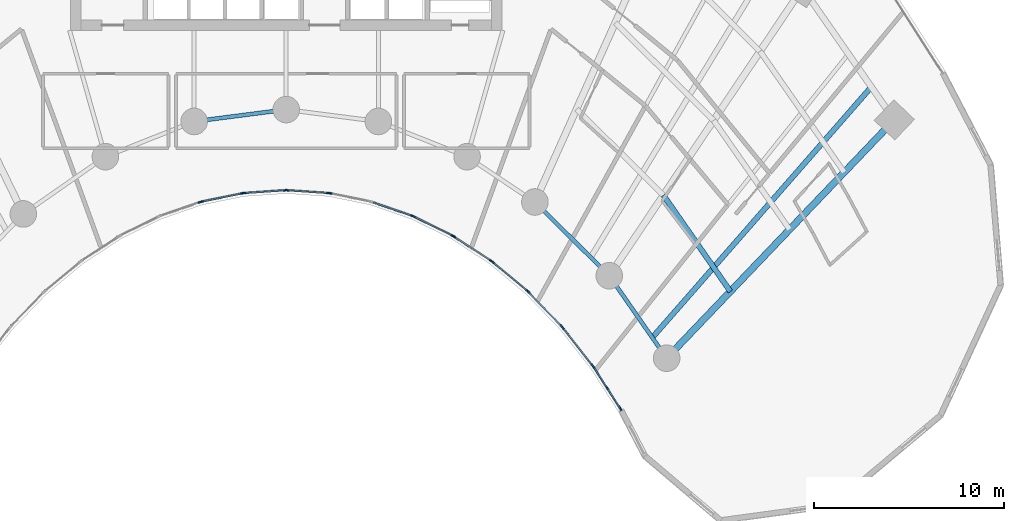
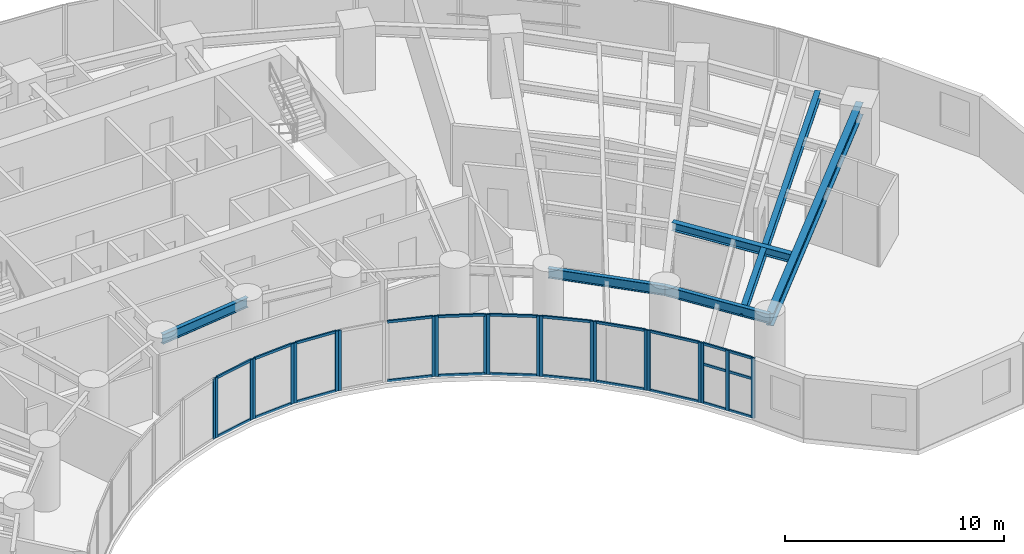
# One storey, part 4 of 17: 46 members, 6 beams, 12 elements without a shape of their own.
"""IFC4 building model written with IfcOpenShell, lengths in metres."""

from ifc_helpers import new_model, si_unit, direction, frame, origin, origin_2d, place, context, subcontext, project, spatial, rectangle, i_section, extrude, source, transform, mapped, material, layer, layer_set, material_profile, profile_set, type_object, type_shapes, element, aggregate, save


model = new_model("IFC4")

# Units and contexts
model_context = context("Model", 3, precision=1e-05, world=origin(), true_north=direction((0.0, 1.0)))
body_context = subcontext(model_context, "Body", "Model", "MODEL_VIEW")
ifc_project = project(units=[si_unit("LENGTHUNIT", "METRE"), si_unit("AREAUNIT", "SQUARE_METRE"), si_unit("VOLUMEUNIT", "CUBIC_METRE"), si_unit("PLANEANGLEUNIT", "RADIAN"), si_unit("MASSUNIT", "GRAM", prefix="KILO")], contexts=[model_context])

# Site, building, storey
site_placement = place(None, origin())
site = spatial("IfcSite", under=ifc_project, at=site_placement, CompositionType="ELEMENT")
building_placement = place(site_placement, origin())
building = spatial("IfcBuilding", under=site, at=building_placement, Name="Breltana Convention Tower", CompositionType="ELEMENT")
storey_placement = place(building_placement, frame((0.0, 0.0, 67.800048828125)))
storey = spatial("IfcBuildingStorey", under=building, at=storey_placement, Name="L15", CompositionType="ELEMENT", Elevation=67.800048828125)

# Beams
ifc_material_1 = material(Name="Steel ASTM A992 Grade 50", Category="steel")
ifc_material_profile_1 = material_profile(ifc_material_1, i_section(OverallWidth=0.35498046875, OverallDepth=0.696044921875, WebThickness=0.015380859375, FlangeThickness=0.02490234375, at=origin_2d()), Name="W27X146")
ifc_profile_set_1 = profile_set([ifc_material_profile_1], Name="Steel ASTM A992 Grade 50")
beam_type_1 = type_object("IfcBeamType", Name="BM-RG-W27X146", PredefinedType="USERDEFINED", material=ifc_profile_set_1)
shared_shape_1 = source(origin(), body_context, "Body", "SweptSolid", [
    extrude(i_section(OverallWidth=0.35498046875, OverallDepth=0.696044921875, WebThickness=0.015380859375, FlangeThickness=0.02490234375, at=origin_2d()), origin(), (0.0, 0.0, 1.0), 17.341064453125),
])
type_shapes(beam_type_1, [shared_shape_1])
beam_1_placement = place(storey_placement, frame((68.015380859375, 42.95458984375, 3.011962890625), z_axis=(0.690716462293, 0.723125693581, 0.0), x_axis=(-0.723125693581, 0.690716462293, 0.0)))
element("IfcBeam", 1, at=beam_1_placement, inside=storey, type_object=beam_type_1, Name="L15 Radial Floor Girder R11", ObjectType="GIRDER", PredefinedType="USERDEFINED", context=body_context, shape_type="MappedRepresentation", body=[
    mapped(shared_shape_1, transform((0.0, 0.0, 0.0), scale=1.0)),
])
ifc_material_profile_2 = material_profile(ifc_material_1, i_section(OverallWidth=0.2099609375, OverallDepth=0.537109375, WebThickness=0.010986328125, FlangeThickness=0.017333984375, at=origin_2d()), Name="W21X68")
ifc_profile_set_2 = profile_set([ifc_material_profile_2], Name="Steel ASTM A992 Grade 50")
beam_type_2 = type_object("IfcBeamType", Name="BM-BM-W21X68", PredefinedType="BEAM", material=ifc_profile_set_2)
shared_shape_2 = source(origin(), body_context, "Body", "SweptSolid", [
    extrude(i_section(OverallWidth=0.2099609375, OverallDepth=0.537109375, WebThickness=0.010986328125, FlangeThickness=0.017333984375, at=origin_2d()), origin(), (0.0, 0.0, 1.0), 4.88671875),
])
beam_2_placement = place(storey_placement, frame((43.153564453125, 55.41064453125, 3.091552734375), z_axis=(0.991780525565, 0.127950729231, 0.0), x_axis=(-0.127950729231, 0.991780525565, 0.0)))
element("IfcBeam", 2, at=beam_2_placement, inside=storey, type_object=beam_type_2, Name="L15 Inner Ring Beam 05", PredefinedType="BEAM", context=body_context, shape_type="MappedRepresentation", body=[
    mapped(shared_shape_2, transform((0.0, 0.0, 0.0), scale=1.0)),
])
shared_shape_3 = source(origin(), body_context, "Body", "SweptSolid", [
    extrude(i_section(OverallWidth=0.2099609375, OverallDepth=0.537109375, WebThickness=0.010986328125, FlangeThickness=0.017333984375, at=origin_2d()), origin(), (0.0, 0.0, 1.0), 5.51171875),
])
beam_3_placement = place(storey_placement, frame((61.08203125, 51.174560546875, 3.091552734375), z_axis=(0.710090360749, -0.704110559196, 0.0), x_axis=(0.704110559196, 0.710090360749, 0.0)))
element("IfcBeam", 3, at=beam_3_placement, inside=storey, type_object=beam_type_2, Name="L15 Inner Ring Beam 09", PredefinedType="BEAM", context=body_context, shape_type="MappedRepresentation", body=[
    mapped(shared_shape_3, transform((0.0, 0.0, 0.0), scale=1.0)),
])
shared_shape_4 = source(origin(), body_context, "Body", "SweptSolid", [
    extrude(i_section(OverallWidth=0.2099609375, OverallDepth=0.537109375, WebThickness=0.010986328125, FlangeThickness=0.017333984375, at=origin_2d()), origin(), (0.0, 0.0, 1.0), 5.286376953125),
])
beam_4_placement = place(storey_placement, frame((64.995849609375, 47.293701171875, 3.091552734375), z_axis=(0.571194382458, -0.82081482531, 0.0), x_axis=(0.82081482531, 0.571194382458, 0.0)))
element("IfcBeam", 4, at=beam_4_placement, inside=storey, type_object=beam_type_2, Name="L15 Inner Ring Beam 10", PredefinedType="BEAM", context=body_context, shape_type="MappedRepresentation", body=[
    mapped(shared_shape_4, transform((0.0, 0.0, 0.0), scale=1.0)),
])
ifc_material_profile_3 = material_profile(ifc_material_1, i_section(OverallWidth=0.280029296875, OverallDepth=0.462890625, WebThickness=0.0107421875, FlangeThickness=0.017333984375, at=origin_2d()), Name="W18X76")
ifc_profile_set_3 = profile_set([ifc_material_profile_3], Name="Steel ASTM A992 Grade 50")
beam_type_3 = type_object("IfcBeamType", Name="BM-JSG-06", PredefinedType="JOIST", material=ifc_profile_set_3)
shared_shape_5 = source(origin(), body_context, "Body", "SweptSolid", [
    extrude(i_section(OverallWidth=0.280029296875, OverallDepth=0.462890625, WebThickness=0.0107421875, FlangeThickness=0.017333984375, at=origin_2d()), origin(), (0.0, 0.0, 1.0), 6.172119140625),
])
beam_5_placement = place(storey_placement, frame((67.84375, 51.531982421875, 3.12841796875), z_axis=(0.571211663392, -0.820802799462, 0.0), x_axis=(0.820802799462, 0.571211663392, 0.0)))
element("IfcBeam", 5, at=beam_5_placement, inside=storey, type_object=beam_type_3, Name="L15 Composite Floor Joist 10.1", PredefinedType="JOIST", context=body_context, shape_type="MappedRepresentation", body=[
    mapped(shared_shape_5, transform((0.0, 0.0, 0.0), scale=1.0)),
])
shared_shape_6 = source(origin(), body_context, "Body", "SweptSolid", [
    extrude(i_section(OverallWidth=0.280029296875, OverallDepth=0.462890625, WebThickness=0.0107421875, FlangeThickness=0.017333984375, at=origin_2d()), origin(), (0.0, 0.0, 1.0), 17.515625),
])
beam_6_placement = place(storey_placement, frame((67.260498046875, 44.03955078125, 3.12841796875), z_axis=(0.658051548324, 0.752972881151, 0.0), x_axis=(-0.752972881151, 0.658051548324, 0.0)))
element("IfcBeam", 6, at=beam_6_placement, inside=storey, type_object=beam_type_3, Name="L15 Quarter-Bay Radial Trimmer 10", PredefinedType="JOIST", context=body_context, shape_type="MappedRepresentation", body=[
    mapped(shared_shape_6, transform((0.0, 0.0, 0.0), scale=1.0)),
])

# Curtain wall, members
ifc_material_2 = material(Name="Aluminium Anodised Bronze Frame", Category="aluminium")
ifc_layer = layer(ifc_material_2, 0.18994140625, Name="Aluminium Anodised Bronze Frame")
ifc_layer_set = layer_set([ifc_layer], Name="Aluminium Anodised Bronze Frame")
curtain_wall_type = type_object("IfcCurtainWallType", Name="CW-SYS-1", PredefinedType="NOTDEFINED", material=ifc_layer_set)
curtain_wall_1_placement = place(storey_placement, origin())
curtain_wall_1 = element("IfcCurtainWall", 7, at=curtain_wall_1_placement, inside=storey, type_object=curtain_wall_type, Name="L15 inner south-court glazing 3", PredefinedType="NOTDEFINED")
ifc_material_3 = material(Name="Aluminium Anodised Bronze", Category="aluminium")
ifc_material_profile_4 = material_profile(ifc_material_3, rectangle(XDim=0.080078125, YDim=0.139892578125, at=origin_2d()), Name="CWT-80X140")
ifc_profile_set_4 = profile_set([ifc_material_profile_4], Name="Aluminium Anodised Bronze")
member_type_1 = type_object("IfcMemberType", Name="CWT-140", PredefinedType="USERDEFINED", material=ifc_profile_set_4)
shared_shape_7 = source(origin(), body_context, "Body", "SweptSolid", [
    extrude(rectangle(XDim=0.080078125, YDim=0.139892578125, at=origin_2d()), origin(), (0.0, 0.0, 1.0), 2.38720703125),
])
type_shapes(member_type_1, [shared_shape_7])
member_1_placement = place(storey_placement, frame((62.4560546875, 44.667724609375, 0.0400390625), z_axis=(-0.694623715393, 0.719373264734, 0.0), x_axis=(-0.719373264734, -0.694623715393, 0.0)))
member_1 = element("IfcMember", 8, at=member_1_placement, type_object=member_type_1, Name="CW-01 transom 1.1", ObjectType="TRANSOM", PredefinedType="USERDEFINED", context=body_context, shape_type="MappedRepresentation", body=[
    mapped(shared_shape_7, transform((0.0, 0.0, 0.0), scale=1.0)),
])
member_2_placement = place(storey_placement, frame((62.4560546875, 44.667724609375, 3.320068359375), z_axis=(-0.694623715393, 0.719373264734, 0.0), x_axis=(-0.719373264734, -0.694623715393, 0.0)))
member_2 = element("IfcMember", 9, at=member_2_placement, type_object=member_type_1, Name="CW-01 transom 1.2", ObjectType="TRANSOM", PredefinedType="USERDEFINED", context=body_context, shape_type="MappedRepresentation", body=[
    mapped(shared_shape_7, transform((0.0, 0.0, 0.0), scale=1.0)),
])

curtain_wall_2_placement = place(storey_placement, origin())
curtain_wall_2 = element("IfcCurtainWall", 10, at=curtain_wall_2_placement, inside=storey, type_object=curtain_wall_type, Name="L15 inner south-court glazing 4", PredefinedType="NOTDEFINED")
shared_shape_8 = source(origin(), body_context, "Body", "SweptSolid", [
    extrude(rectangle(XDim=0.080078125, YDim=0.139892578125, at=origin_2d()), origin(), (0.0, 0.0, 1.0), 2.312255859375),
])
member_3_placement = place(storey_placement, frame((60.666748046875, 46.5068359375, 0.0400390625), z_axis=(-0.767900974507, 0.640568570374, 0.0), x_axis=(-0.640568570374, -0.767900974507, 0.0)))
member_3 = element("IfcMember", 11, at=member_3_placement, type_object=member_type_1, Name="CW-01 transom 1.1", ObjectType="TRANSOM", PredefinedType="USERDEFINED", context=body_context, shape_type="MappedRepresentation", body=[
    mapped(shared_shape_8, transform((0.0, 0.0, 0.0), scale=1.0)),
])
member_4_placement = place(storey_placement, frame((60.666748046875, 46.5068359375, 3.320068359375), z_axis=(-0.767900974507, 0.640568570374, 0.0), x_axis=(-0.640568570374, -0.767900974507, 0.0)))
member_4 = element("IfcMember", 12, at=member_4_placement, type_object=member_type_1, Name="CW-01 transom 1.2", ObjectType="TRANSOM", PredefinedType="USERDEFINED", context=body_context, shape_type="MappedRepresentation", body=[
    mapped(shared_shape_8, transform((0.0, 0.0, 0.0), scale=1.0)),
])

curtain_wall_3_placement = place(storey_placement, origin())
curtain_wall_3 = element("IfcCurtainWall", 13, at=curtain_wall_3_placement, inside=storey, type_object=curtain_wall_type, Name="L15 inner south-court glazing 5", PredefinedType="NOTDEFINED")
shared_shape_9 = source(origin(), body_context, "Body", "SweptSolid", [
    extrude(rectangle(XDim=0.080078125, YDim=0.139892578125, at=origin_2d()), origin(), (0.0, 0.0, 1.0), 2.2421875),
])
member_5_placement = place(storey_placement, frame((58.746337890625, 48.095458984375, 0.0400390625), z_axis=(-0.835982353773, 0.548756324957, 0.0), x_axis=(-0.548756324957, -0.835982353773, 0.0)))
member_5 = element("IfcMember", 14, at=member_5_placement, type_object=member_type_1, Name="CW-01 transom 1.1", ObjectType="TRANSOM", PredefinedType="USERDEFINED", context=body_context, shape_type="MappedRepresentation", body=[
    mapped(shared_shape_9, transform((0.0, 0.0, 0.0), scale=1.0)),
])
member_6_placement = place(storey_placement, frame((58.746337890625, 48.095458984375, 3.320068359375), z_axis=(-0.835982353773, 0.548756324957, 0.0), x_axis=(-0.548756324957, -0.835982353773, 0.0)))
member_6 = element("IfcMember", 15, at=member_6_placement, type_object=member_type_1, Name="CW-01 transom 1.2", ObjectType="TRANSOM", PredefinedType="USERDEFINED", context=body_context, shape_type="MappedRepresentation", body=[
    mapped(shared_shape_9, transform((0.0, 0.0, 0.0), scale=1.0)),
])

curtain_wall_4_placement = place(storey_placement, origin())
curtain_wall_4 = element("IfcCurtainWall", 16, at=curtain_wall_4_placement, inside=storey, type_object=curtain_wall_type, Name="L15 inner south-court glazing 6", PredefinedType="NOTDEFINED")
shared_shape_10 = source(origin(), body_context, "Body", "SweptSolid", [
    extrude(rectangle(XDim=0.080078125, YDim=0.139892578125, at=origin_2d()), origin(), (0.0, 0.0, 1.0), 2.180908203125),
])
member_7_placement = place(storey_placement, frame((56.71435546875, 49.416015625, 0.0400390625), z_axis=(-0.895922266369, 0.444210865045, 0.0), x_axis=(-0.444210865045, -0.895922266369, 0.0)))
member_7 = element("IfcMember", 17, at=member_7_placement, type_object=member_type_1, Name="CW-01 transom 1.1", ObjectType="TRANSOM", PredefinedType="USERDEFINED", context=body_context, shape_type="MappedRepresentation", body=[
    mapped(shared_shape_10, transform((0.0, 0.0, 0.0), scale=1.0)),
])
member_8_placement = place(storey_placement, frame((56.71435546875, 49.416015625, 3.320068359375), z_axis=(-0.895922266369, 0.444210865045, 0.0), x_axis=(-0.444210865045, -0.895922266369, 0.0)))
member_8 = element("IfcMember", 18, at=member_8_placement, type_object=member_type_1, Name="CW-01 transom 1.2", ObjectType="TRANSOM", PredefinedType="USERDEFINED", context=body_context, shape_type="MappedRepresentation", body=[
    mapped(shared_shape_10, transform((0.0, 0.0, 0.0), scale=1.0)),
])

curtain_wall_5_placement = place(storey_placement, origin())
curtain_wall_5 = element("IfcCurtainWall", 19, at=curtain_wall_5_placement, inside=storey, type_object=curtain_wall_type, Name="L15 inner south-court glazing 9", PredefinedType="NOTDEFINED")
shared_shape_11 = source(origin(), body_context, "Body", "SweptSolid", [
    extrude(rectangle(XDim=0.080078125, YDim=0.139892578125, at=origin_2d()), origin(), (0.0, 0.0, 1.0), 2.07861328125),
])
member_9_placement = place(storey_placement, frame((50.165771484375, 51.6474609375, 0.0400390625), z_axis=(-0.997708627147, 0.067657189691, 0.0), x_axis=(-0.067657189691, -0.997708627147, 0.0)))
member_9 = element("IfcMember", 20, at=member_9_placement, type_object=member_type_1, Name="CW-01 transom 1.1", ObjectType="TRANSOM", PredefinedType="USERDEFINED", context=body_context, shape_type="MappedRepresentation", body=[
    mapped(shared_shape_11, transform((0.0, 0.0, 0.0), scale=1.0)),
])
member_10_placement = place(storey_placement, frame((50.165771484375, 51.6474609375, 3.320068359375), z_axis=(-0.997708627147, 0.067657189691, 0.0), x_axis=(-0.067657189691, -0.997708627147, 0.0)))
member_10 = element("IfcMember", 21, at=member_10_placement, type_object=member_type_1, Name="CW-01 transom 1.2", ObjectType="TRANSOM", PredefinedType="USERDEFINED", context=body_context, shape_type="MappedRepresentation", body=[
    mapped(shared_shape_11, transform((0.0, 0.0, 0.0), scale=1.0)),
])

curtain_wall_6_placement = place(storey_placement, origin())
curtain_wall_6 = element("IfcCurtainWall", 22, at=curtain_wall_6_placement, inside=storey, type_object=curtain_wall_type, Name="L15 inner south-court glazing 10", PredefinedType="NOTDEFINED")
member_11_placement = place(storey_placement, frame((47.907958984375, 51.7880859375, 0.0400390625), z_axis=(-0.997708627147, -0.067657189691, 0.0), x_axis=(0.067657189691, -0.997708627147, 0.0)))
member_11 = element("IfcMember", 23, at=member_11_placement, type_object=member_type_1, Name="CW-01 transom 1.1", ObjectType="TRANSOM", PredefinedType="USERDEFINED", context=body_context, shape_type="MappedRepresentation", body=[
    mapped(shared_shape_11, transform((0.0, 0.0, 0.0), scale=1.0)),
])
member_12_placement = place(storey_placement, frame((47.907958984375, 51.7880859375, 3.320068359375), z_axis=(-0.997708627147, -0.067657189691, 0.0), x_axis=(0.067657189691, -0.997708627147, 0.0)))
member_12 = element("IfcMember", 24, at=member_12_placement, type_object=member_type_1, Name="CW-01 transom 1.2", ObjectType="TRANSOM", PredefinedType="USERDEFINED", context=body_context, shape_type="MappedRepresentation", body=[
    mapped(shared_shape_11, transform((0.0, 0.0, 0.0), scale=1.0)),
])

curtain_wall_7_placement = place(storey_placement, origin())
curtain_wall_7 = element("IfcCurtainWall", 25, at=curtain_wall_7_placement, inside=storey, type_object=curtain_wall_type, Name="L15 inner south-court glazing 2", PredefinedType="NOTDEFINED")
shared_shape_12 = source(origin(), body_context, "Body", "SweptSolid", [
    extrude(rectangle(XDim=0.080078125, YDim=0.139892578125, at=origin_2d()), origin(), (0.0, 0.0, 1.0), 2.4638671875),
])
member_13_placement = place(storey_placement, frame((64.09619140625, 42.5966796875, 0.0400390625), z_axis=(-0.618184689608, 0.786032880695, 0.0), x_axis=(-0.786032880695, -0.618184689608, 0.0)))
member_13 = element("IfcMember", 26, at=member_13_placement, type_object=member_type_1, Name="CW-01 transom 1.1", ObjectType="TRANSOM", PredefinedType="USERDEFINED", context=body_context, shape_type="MappedRepresentation", body=[
    mapped(shared_shape_12, transform((0.0, 0.0, 0.0), scale=1.0)),
])
member_14_placement = place(storey_placement, frame((64.09619140625, 42.5966796875, 3.320068359375), z_axis=(-0.618184689608, 0.786032880695, 0.0), x_axis=(-0.786032880695, -0.618184689608, 0.0)))
member_14 = element("IfcMember", 27, at=member_14_placement, type_object=member_type_1, Name="CW-01 transom 1.2", ObjectType="TRANSOM", PredefinedType="USERDEFINED", context=body_context, shape_type="MappedRepresentation", body=[
    mapped(shared_shape_12, transform((0.0, 0.0, 0.0), scale=1.0)),
])

curtain_wall_8_placement = place(storey_placement, origin())
curtain_wall_8 = element("IfcCurtainWall", 28, at=curtain_wall_8_placement, inside=storey, type_object=curtain_wall_type, Name="L15 inner south-court glazing 1", PredefinedType="NOTDEFINED")
shared_shape_13 = source(origin(), body_context, "Body", "SweptSolid", [
    extrude(rectangle(XDim=0.080078125, YDim=0.139892578125, at=origin_2d()), origin(), (0.0, 0.0, 1.0), 1.229736328125),
])
member_15_placement = place(storey_placement, frame((65.57080078125, 40.315185546875, 0.0400390625), z_axis=(-0.540185543357, 0.841545945714, 0.0), x_axis=(-0.841545945714, -0.540185543357, 0.0)))
member_15 = element("IfcMember", 29, at=member_15_placement, type_object=member_type_1, Name="CW-01 transom 1.1", ObjectType="TRANSOM", PredefinedType="USERDEFINED", context=body_context, shape_type="MappedRepresentation", body=[
    mapped(shared_shape_13, transform((0.0, 0.0, 0.0), scale=1.0)),
])
member_16_placement = place(storey_placement, frame((65.57080078125, 40.315185546875, 2.183837890625), z_axis=(-0.540185543357, 0.841545945714, 0.0), x_axis=(-0.841545945714, -0.540185543357, 0.0)))
member_16 = element("IfcMember", 30, at=member_16_placement, type_object=member_type_1, Name="CW-01 transom 1.2", ObjectType="TRANSOM", PredefinedType="USERDEFINED", context=body_context, shape_type="MappedRepresentation", body=[
    mapped(shared_shape_13, transform((0.0, 0.0, 0.0), scale=1.0)),
])
member_17_placement = place(storey_placement, frame((65.57080078125, 40.315185546875, 3.320068359375), z_axis=(-0.540185543357, 0.841545945714, 0.0), x_axis=(-0.841545945714, -0.540185543357, 0.0)))
member_17 = element("IfcMember", 31, at=member_17_placement, type_object=member_type_1, Name="CW-01 transom 1.3", ObjectType="TRANSOM", PredefinedType="USERDEFINED", context=body_context, shape_type="MappedRepresentation", body=[
    mapped(shared_shape_13, transform((0.0, 0.0, 0.0), scale=1.0)),
])
member_18_placement = place(storey_placement, frame((64.86328125, 41.41748046875, 0.0400390625), z_axis=(-0.540185543357, 0.841545945714, 0.0), x_axis=(-0.841545945714, -0.540185543357, 0.0)))
member_18 = element("IfcMember", 32, at=member_18_placement, type_object=member_type_1, Name="CW-01 transom 2.1", ObjectType="TRANSOM", PredefinedType="USERDEFINED", context=body_context, shape_type="MappedRepresentation", body=[
    mapped(shared_shape_13, transform((0.0, 0.0, 0.0), scale=1.0)),
])
member_19_placement = place(storey_placement, frame((64.86328125, 41.41748046875, 2.183837890625), z_axis=(-0.540185543357, 0.841545945714, 0.0), x_axis=(-0.841545945714, -0.540185543357, 0.0)))
member_19 = element("IfcMember", 33, at=member_19_placement, type_object=member_type_1, Name="CW-01 transom 2.2", ObjectType="TRANSOM", PredefinedType="USERDEFINED", context=body_context, shape_type="MappedRepresentation", body=[
    mapped(shared_shape_13, transform((0.0, 0.0, 0.0), scale=1.0)),
])
member_20_placement = place(storey_placement, frame((64.86328125, 41.41748046875, 3.320068359375), z_axis=(-0.540185543357, 0.841545945714, 0.0), x_axis=(-0.841545945714, -0.540185543357, 0.0)))
member_20 = element("IfcMember", 34, at=member_20_placement, type_object=member_type_1, Name="CW-01 transom 2.3", ObjectType="TRANSOM", PredefinedType="USERDEFINED", context=body_context, shape_type="MappedRepresentation", body=[
    mapped(shared_shape_13, transform((0.0, 0.0, 0.0), scale=1.0)),
])

curtain_wall_9_placement = place(storey_placement, origin())
curtain_wall_9 = element("IfcCurtainWall", 35, at=curtain_wall_9_placement, inside=storey, type_object=curtain_wall_type, Name="L15 inner south-court glazing 7", PredefinedType="NOTDEFINED")
shared_shape_14 = source(origin(), body_context, "Body", "SweptSolid", [
    extrude(rectangle(XDim=0.080078125, YDim=0.139892578125, at=origin_2d()), origin(), (0.0, 0.0, 1.0), 2.131103515625),
])
member_21_placement = place(storey_placement, frame((54.592041015625, 50.455078125, 0.0400390625), z_axis=(-0.944847069856, 0.327511854112, 0.0), x_axis=(-0.327511854112, -0.944847069856, 0.0)))
member_21 = element("IfcMember", 36, at=member_21_placement, type_object=member_type_1, Name="CW-01 transom 1.1", ObjectType="TRANSOM", PredefinedType="USERDEFINED", context=body_context, shape_type="MappedRepresentation", body=[
    mapped(shared_shape_14, transform((0.0, 0.0, 0.0), scale=1.0)),
])
member_22_placement = place(storey_placement, frame((54.592041015625, 50.455078125, 3.320068359375), z_axis=(-0.944847069856, 0.327511854112, 0.0), x_axis=(-0.327511854112, -0.944847069856, 0.0)))
member_22 = element("IfcMember", 37, at=member_22_placement, type_object=member_type_1, Name="CW-01 transom 1.2", ObjectType="TRANSOM", PredefinedType="USERDEFINED", context=body_context, shape_type="MappedRepresentation", body=[
    mapped(shared_shape_14, transform((0.0, 0.0, 0.0), scale=1.0)),
])

curtain_wall_10_placement = place(storey_placement, origin())
curtain_wall_10 = element("IfcCurtainWall", 38, at=curtain_wall_10_placement, inside=storey, type_object=curtain_wall_type, Name="L15 inner south-court glazing 11", PredefinedType="NOTDEFINED")
shared_shape_15 = source(origin(), body_context, "Body", "SweptSolid", [
    extrude(rectangle(XDim=0.080078125, YDim=0.139892578125, at=origin_2d()), origin(), (0.0, 0.0, 1.0), 2.096435546875),
])
member_23_placement = place(storey_placement, frame((45.652099609375, 51.62255859375, 0.0400390625), z_axis=(-0.979615042233, -0.200883969074, 0.0), x_axis=(0.200883969074, -0.979615042233, 0.0)))
member_23 = element("IfcMember", 39, at=member_23_placement, type_object=member_type_1, Name="CW-01 transom 1.1", ObjectType="TRANSOM", PredefinedType="USERDEFINED", context=body_context, shape_type="MappedRepresentation", body=[
    mapped(shared_shape_15, transform((0.0, 0.0, 0.0), scale=1.0)),
])
member_24_placement = place(storey_placement, frame((45.652099609375, 51.62255859375, 3.320068359375), z_axis=(-0.979615042233, -0.200883969074, 0.0), x_axis=(0.200883969074, -0.979615042233, 0.0)))
member_24 = element("IfcMember", 40, at=member_24_placement, type_object=member_type_1, Name="CW-01 transom 1.2", ObjectType="TRANSOM", PredefinedType="USERDEFINED", context=body_context, shape_type="MappedRepresentation", body=[
    mapped(shared_shape_15, transform((0.0, 0.0, 0.0), scale=1.0)),
])

# Member
ifc_material_profile_5 = material_profile(ifc_material_3, rectangle(XDim=0.080078125, YDim=0.199951171875, at=origin_2d()), Name="CWM-80X200")
ifc_profile_set_5 = profile_set([ifc_material_profile_5], Name="Aluminium Anodised Bronze")
member_type_2 = type_object("IfcMemberType", Name="CWM-200", PredefinedType="MULLION", material=ifc_profile_set_5)
shared_shape_16 = source(origin(), body_context, "Body", "SweptSolid", [
    extrude(rectangle(XDim=0.080078125, YDim=0.199951171875, at=origin_2d()), origin(), (0.0, 0.0, 1.0), 3.35986328125),
])
member_25_placement = place(storey_placement, frame((65.59228515625, 40.281494140625, 0.0), z_axis=(0.0, 0.0, 1.0), x_axis=(-0.841556194767, -0.540169576197, 0.0)))
member_25 = element("IfcMember", 41, at=member_25_placement, type_object=member_type_2, Name="CW-01 mullion 1", PredefinedType="MULLION", context=body_context, shape_type="MappedRepresentation", body=[
    mapped(shared_shape_16, transform((0.0, 0.0, 0.0), scale=1.0)),
])

member_26_placement = place(storey_placement, frame((64.884765625, 41.3837890625, 0.0), z_axis=(0.0, 0.0, 1.0), x_axis=(-0.841556194767, -0.540169576197, 0.0)))
member_26 = element("IfcMember", 42, at=member_26_placement, type_object=member_type_2, Name="CW-01 mullion 2", PredefinedType="MULLION", context=body_context, shape_type="MappedRepresentation", body=[
    mapped(shared_shape_16, transform((0.0, 0.0, 0.0), scale=1.0)),
])

member_27_placement = place(storey_placement, frame((64.17724609375, 42.48583984375, 0.0), z_axis=(0.0, 0.0, 1.0), x_axis=(-0.841556194767, -0.540169576197, 0.0)))
member_27 = element("IfcMember", 43, at=member_27_placement, type_object=member_type_2, Name="CW-01 mullion 3", PredefinedType="MULLION", context=body_context, shape_type="MappedRepresentation", body=[
    mapped(shared_shape_16, transform((0.0, 0.0, 0.0), scale=1.0)),
])

aggregate(curtain_wall_8, [member_25, member_26, member_27, member_15, member_16, member_17, member_18, member_19, member_20])

member_28_placement = place(storey_placement, frame((64.12109375, 42.565185546875, 0.0), z_axis=(0.0, 0.0, 1.0), x_axis=(-0.786057762734, -0.61815305034, 0.0)))
member_28 = element("IfcMember", 44, at=member_28_placement, type_object=member_type_2, Name="CW-01 mullion 1", PredefinedType="MULLION", context=body_context, shape_type="MappedRepresentation", body=[
    mapped(shared_shape_16, transform((0.0, 0.0, 0.0), scale=1.0)),
])

member_29_placement = place(storey_placement, frame((62.54833984375, 44.56494140625, 0.0), z_axis=(0.0, 0.0, 1.0), x_axis=(-0.786057762734, -0.61815305034, 0.0)))
member_29 = element("IfcMember", 45, at=member_29_placement, type_object=member_type_2, Name="CW-01 mullion 2", PredefinedType="MULLION", context=body_context, shape_type="MappedRepresentation", body=[
    mapped(shared_shape_16, transform((0.0, 0.0, 0.0), scale=1.0)),
])

aggregate(curtain_wall_7, [member_28, member_29, member_13, member_14])

member_30_placement = place(storey_placement, frame((62.48388671875, 44.638916015625, 0.0), z_axis=(0.0, 0.0, 1.0), x_axis=(-0.719384548773, -0.694612029111, 0.0)))
member_30 = element("IfcMember", 46, at=member_30_placement, type_object=member_type_2, Name="CW-01 mullion 1", PredefinedType="MULLION", context=body_context, shape_type="MappedRepresentation", body=[
    mapped(shared_shape_16, transform((0.0, 0.0, 0.0), scale=1.0)),
])

member_31_placement = place(storey_placement, frame((60.77001953125, 46.413818359375, 0.0), z_axis=(0.0, 0.0, 1.0), x_axis=(-0.719384548773, -0.694612029111, 0.0)))
member_31 = element("IfcMember", 47, at=member_31_placement, type_object=member_type_2, Name="CW-01 mullion 2", PredefinedType="MULLION", context=body_context, shape_type="MappedRepresentation", body=[
    mapped(shared_shape_16, transform((0.0, 0.0, 0.0), scale=1.0)),
])

aggregate(curtain_wall_1, [member_30, member_31, member_1, member_2])

member_32_placement = place(storey_placement, frame((60.697265625, 46.481201171875, 0.0), z_axis=(0.0, 0.0, 1.0), x_axis=(-0.640522524458, -0.767939382804, 0.0)))
member_32 = element("IfcMember", 48, at=member_32_placement, type_object=member_type_2, Name="CW-01 mullion 1", PredefinedType="MULLION", context=body_context, shape_type="MappedRepresentation", body=[
    mapped(shared_shape_16, transform((0.0, 0.0, 0.0), scale=1.0)),
])

member_33_placement = place(storey_placement, frame((58.8603515625, 48.013671875, 0.0), z_axis=(0.0, 0.0, 1.0), x_axis=(-0.640522524458, -0.767939382804, 0.0)))
member_33 = element("IfcMember", 49, at=member_33_placement, type_object=member_type_2, Name="CW-01 mullion 2", PredefinedType="MULLION", context=body_context, shape_type="MappedRepresentation", body=[
    mapped(shared_shape_16, transform((0.0, 0.0, 0.0), scale=1.0)),
])

aggregate(curtain_wall_2, [member_32, member_33, member_3, member_4])

member_34_placement = place(storey_placement, frame((58.779541015625, 48.073486328125, 0.0), z_axis=(0.0, 0.0, 1.0), x_axis=(-0.548778278441, -0.835967942634, 0.0)))
member_34 = element("IfcMember", 50, at=member_34_placement, type_object=member_type_2, Name="CW-01 mullion 1", PredefinedType="MULLION", context=body_context, shape_type="MappedRepresentation", body=[
    mapped(shared_shape_16, transform((0.0, 0.0, 0.0), scale=1.0)),
])

member_35_placement = place(storey_placement, frame((56.83837890625, 49.347900390625, 0.0), z_axis=(0.0, 0.0, 1.0), x_axis=(-0.548778278441, -0.835967942634, 0.0)))
member_35 = element("IfcMember", 51, at=member_35_placement, type_object=member_type_2, Name="CW-01 mullion 2", PredefinedType="MULLION", context=body_context, shape_type="MappedRepresentation", body=[
    mapped(shared_shape_16, transform((0.0, 0.0, 0.0), scale=1.0)),
])

aggregate(curtain_wall_3, [member_34, member_35, member_5, member_6])

member_36_placement = place(storey_placement, frame((56.750244140625, 49.3984375, 0.0), z_axis=(0.0, 0.0, 1.0), x_axis=(-0.444117987602, -0.895968310315, 0.0)))
member_36 = element("IfcMember", 52, at=member_36_placement, type_object=member_type_2, Name="CW-01 mullion 1", PredefinedType="MULLION", context=body_context, shape_type="MappedRepresentation", body=[
    mapped(shared_shape_16, transform((0.0, 0.0, 0.0), scale=1.0)),
])

member_37_placement = place(storey_placement, frame((54.724609375, 50.40234375, 0.0), z_axis=(0.0, 0.0, 1.0), x_axis=(-0.444117987602, -0.895968310315, 0.0)))
member_37 = element("IfcMember", 53, at=member_37_placement, type_object=member_type_2, Name="CW-01 mullion 2", PredefinedType="MULLION", context=body_context, shape_type="MappedRepresentation", body=[
    mapped(shared_shape_16, transform((0.0, 0.0, 0.0), scale=1.0)),
])

aggregate(curtain_wall_4, [member_36, member_37, member_7, member_8])

member_38_placement = place(storey_placement, frame((54.6298828125, 50.442138671875, 0.0), z_axis=(0.0, 0.0, 1.0), x_axis=(-0.327413341714, -0.944881211406, 0.0)))
member_38 = element("IfcMember", 54, at=member_38_placement, type_object=member_type_2, Name="CW-01 mullion 1", PredefinedType="MULLION", context=body_context, shape_type="MappedRepresentation", body=[
    mapped(shared_shape_16, transform((0.0, 0.0, 0.0), scale=1.0)),
])

aggregate(curtain_wall_9, [member_38, member_21, member_22])

# Curtain wall, member
curtain_wall_11_placement = place(storey_placement, origin())
curtain_wall_11 = element("IfcCurtainWall", 55, at=curtain_wall_11_placement, inside=storey, type_object=curtain_wall_type, Name="L15 inner south-court glazing 8", PredefinedType="NOTDEFINED")
member_39_placement = place(storey_placement, frame((50.30859375, 51.630615234375, 0.0), z_axis=(0.0, 0.0, 1.0), x_axis=(-0.200886350278, -0.97961455393, 0.0)))
member_39 = element("IfcMember", 56, at=member_39_placement, type_object=member_type_2, Name="CW-01 mullion 2", PredefinedType="MULLION", context=body_context, shape_type="MappedRepresentation", body=[
    mapped(shared_shape_16, transform((0.0, 0.0, 0.0), scale=1.0)),
])
aggregate(curtain_wall_11, [member_39])

# Member
member_40_placement = place(storey_placement, frame((50.20556640625, 51.644775390625, 0.0), z_axis=(0.0, 0.0, 1.0), x_axis=(-0.067725752326, -0.997703975371, 0.0)))
member_40 = element("IfcMember", 57, at=member_40_placement, type_object=member_type_2, Name="CW-01 mullion 1", PredefinedType="MULLION", context=body_context, shape_type="MappedRepresentation", body=[
    mapped(shared_shape_16, transform((0.0, 0.0, 0.0), scale=1.0)),
])

member_41_placement = place(storey_placement, frame((48.052001953125, 51.790771484375, 0.0), z_axis=(0.0, 0.0, 1.0), x_axis=(-0.067725752326, -0.997703975371, 0.0)))
member_41 = element("IfcMember", 58, at=member_41_placement, type_object=member_type_2, Name="CW-01 mullion 2", PredefinedType="MULLION", context=body_context, shape_type="MappedRepresentation", body=[
    mapped(shared_shape_16, transform((0.0, 0.0, 0.0), scale=1.0)),
])

aggregate(curtain_wall_5, [member_40, member_41, member_9, member_10])

member_42_placement = place(storey_placement, frame((47.947998046875, 51.790771484375, 0.0), z_axis=(0.0, 0.0, 1.0), x_axis=(0.067725752326, -0.997703975371, 0.0)))
member_42 = element("IfcMember", 59, at=member_42_placement, type_object=member_type_2, Name="CW-01 mullion 1", PredefinedType="MULLION", context=body_context, shape_type="MappedRepresentation", body=[
    mapped(shared_shape_16, transform((0.0, 0.0, 0.0), scale=1.0)),
])

member_43_placement = place(storey_placement, frame((45.79443359375, 51.644775390625, 0.0), z_axis=(0.0, 0.0, 1.0), x_axis=(0.067725752326, -0.997703975371, 0.0)))
member_43 = element("IfcMember", 60, at=member_43_placement, type_object=member_type_2, Name="CW-01 mullion 2", PredefinedType="MULLION", context=body_context, shape_type="MappedRepresentation", body=[
    mapped(shared_shape_16, transform((0.0, 0.0, 0.0), scale=1.0)),
])

aggregate(curtain_wall_6, [member_42, member_43, member_11, member_12])

member_44_placement = place(storey_placement, frame((45.69140625, 51.630615234375, 0.0), z_axis=(0.0, 0.0, 1.0), x_axis=(0.200886350278, -0.97961455393, 0.0)))
member_44 = element("IfcMember", 61, at=member_44_placement, type_object=member_type_2, Name="CW-01 mullion 1", PredefinedType="MULLION", context=body_context, shape_type="MappedRepresentation", body=[
    mapped(shared_shape_16, transform((0.0, 0.0, 0.0), scale=1.0)),
])

member_45_placement = place(storey_placement, frame((43.55908203125, 51.193359375, 0.0), z_axis=(0.0, 0.0, 1.0), x_axis=(0.200886350278, -0.97961455393, 0.0)))
member_45 = element("IfcMember", 62, at=member_45_placement, type_object=member_type_2, Name="CW-01 mullion 2", PredefinedType="MULLION", context=body_context, shape_type="MappedRepresentation", body=[
    mapped(shared_shape_16, transform((0.0, 0.0, 0.0), scale=1.0)),
])

aggregate(curtain_wall_10, [member_44, member_45, member_23, member_24])

# Curtain wall, member
curtain_wall_12_placement = place(storey_placement, origin())
curtain_wall_12 = element("IfcCurtainWall", 63, at=curtain_wall_12_placement, inside=storey, type_object=curtain_wall_type, Name="L15 inner south-court glazing 12", PredefinedType="NOTDEFINED")
member_46_placement = place(storey_placement, frame((43.45947265625, 51.166015625, 0.0), z_axis=(0.0, 0.0, 1.0), x_axis=(0.327413341714, -0.944881211406, 0.0)))
member_46 = element("IfcMember", 64, at=member_46_placement, type_object=member_type_2, Name="CW-01 mullion 1", PredefinedType="MULLION", context=body_context, shape_type="MappedRepresentation", body=[
    mapped(shared_shape_16, transform((0.0, 0.0, 0.0), scale=1.0)),
])
aggregate(curtain_wall_12, [member_46])

save(model, "model.ifc")
